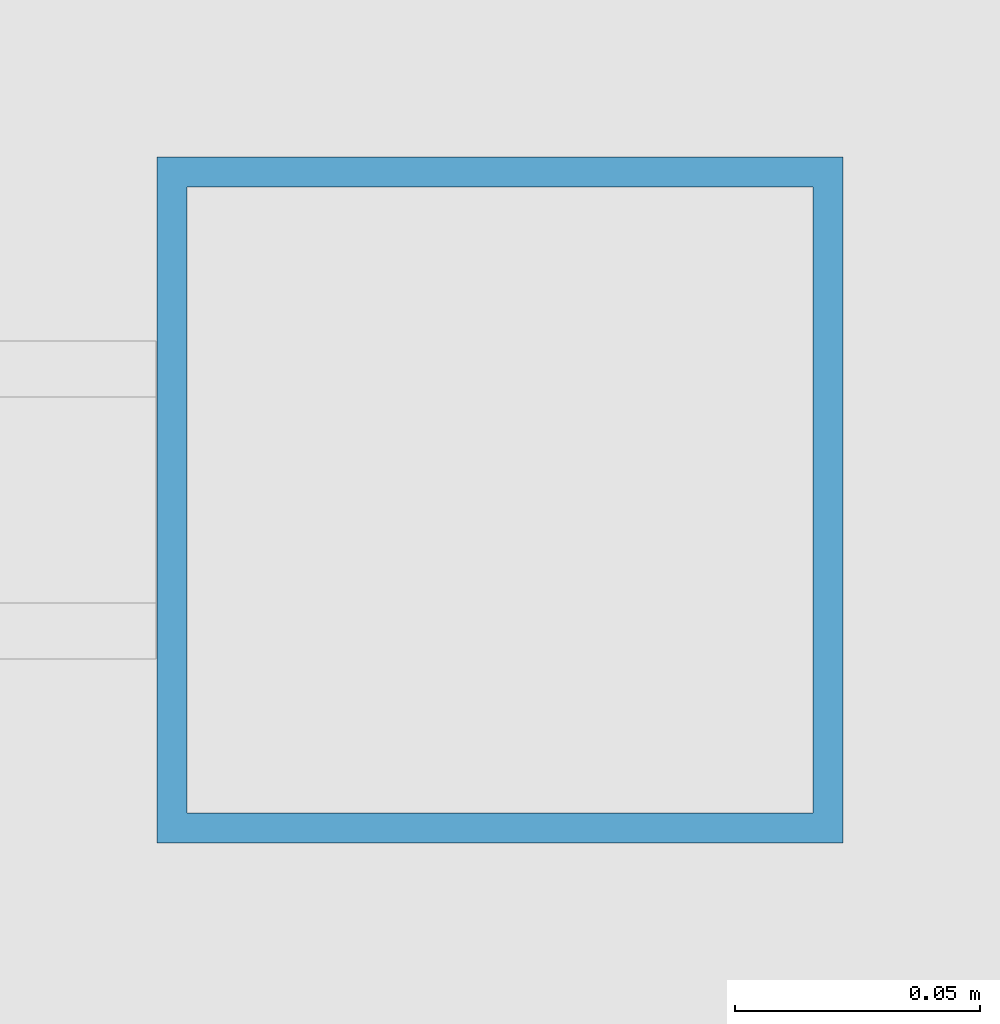
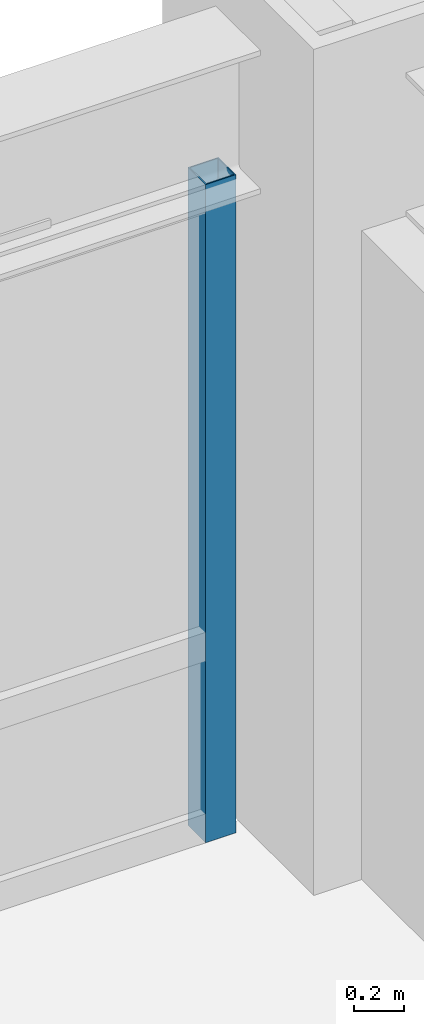
# One storey, part 21 of 32: 1 member, 1 element without a shape of its own.
"""IFC4 building model written with IfcOpenShell, lengths in metres."""

from ifc_helpers import new_model, si_unit, direction, frame, origin, origin_2d, place, context, subcontext, project, spatial, hollow_rectangle, extrude, source, transform, mapped, material, material_profile, profile_set, type_object, element, aggregate, save


model = new_model("IFC4")

# Units and contexts
model_context = context("Model", 3, precision=1e-05, world=origin(), true_north=direction((0.0, 1.0)))
body_context = subcontext(model_context, "Body", "Model", "MODEL_VIEW")
ifc_project = project(units=[si_unit("LENGTHUNIT", "METRE"), si_unit("AREAUNIT", "SQUARE_METRE"), si_unit("VOLUMEUNIT", "CUBIC_METRE"), si_unit("PLANEANGLEUNIT", "RADIAN"), si_unit("MASSUNIT", "GRAM", prefix="KILO")], contexts=[model_context])

# Site, building, storey
site_placement = place(None, origin())
site = spatial("IfcSite", under=ifc_project, at=site_placement, CompositionType="ELEMENT")
building_placement = place(site_placement, origin())
building = spatial("IfcBuilding", under=site, at=building_placement, Name="Khorayat Bourse Tower", CompositionType="ELEMENT")
storey_placement = place(building_placement, frame((0.0, 0.0, 95.5)))
storey = spatial("IfcBuildingStorey", under=building, at=storey_placement, Name="L21", CompositionType="ELEMENT", Elevation=95.5)

# Curtain wall, member
ifc_material = material(Name="Aluminium EN AW-6063 T6", Category="aluminium")
curtain_wall_type = type_object("IfcCurtainWallType", Name="CW-SYS-02", PredefinedType="NOTDEFINED", material=ifc_material)
curtain_wall_placement = place(storey_placement, origin())
curtain_wall = element("IfcCurtainWall", 1, at=curtain_wall_placement, inside=storey, type_object=curtain_wall_type, Name="L21 Curtain Wall CW-L21-N1", PredefinedType="NOTDEFINED")
ifc_material_profile = material_profile(ifc_material, hollow_rectangle(XDim=0.139892578125, YDim=0.139892578125, WallThickness=0.006103515625, at=origin_2d()), Name="ALU 140x140x6")
ifc_profile_set = profile_set([ifc_material_profile], Name="Aluminium EN AW-6063 T6")
member_type = type_object("IfcMemberType", Name="CWM-VERT-140", PredefinedType="MULLION", material=ifc_profile_set)
shared_shape = source(origin(), body_context, "Body", "SweptSolid", [
    extrude(hollow_rectangle(XDim=0.139892578125, YDim=0.139892578125, WallThickness=0.006103515625, at=origin_2d()), origin(), (0.0, 0.0, 1.0), 3.18994140625),
])
member_placement = place(storey_placement, frame((27.280029296875, 32.0, 0.0), z_axis=(0.0, 0.0, 1.0), x_axis=(0.0, 1.0, 0.0)))
member = element("IfcMember", 2, at=member_placement, type_object=member_type, Name="CW-L21-N1 Vertical Mullion 3", PredefinedType="MULLION", context=body_context, shape_type="MappedRepresentation", body=[
    mapped(shared_shape, transform((0.0, 0.0, 0.0), scale=1.0)),
])
aggregate(curtain_wall, [member])

save(model, "model.ifc")
